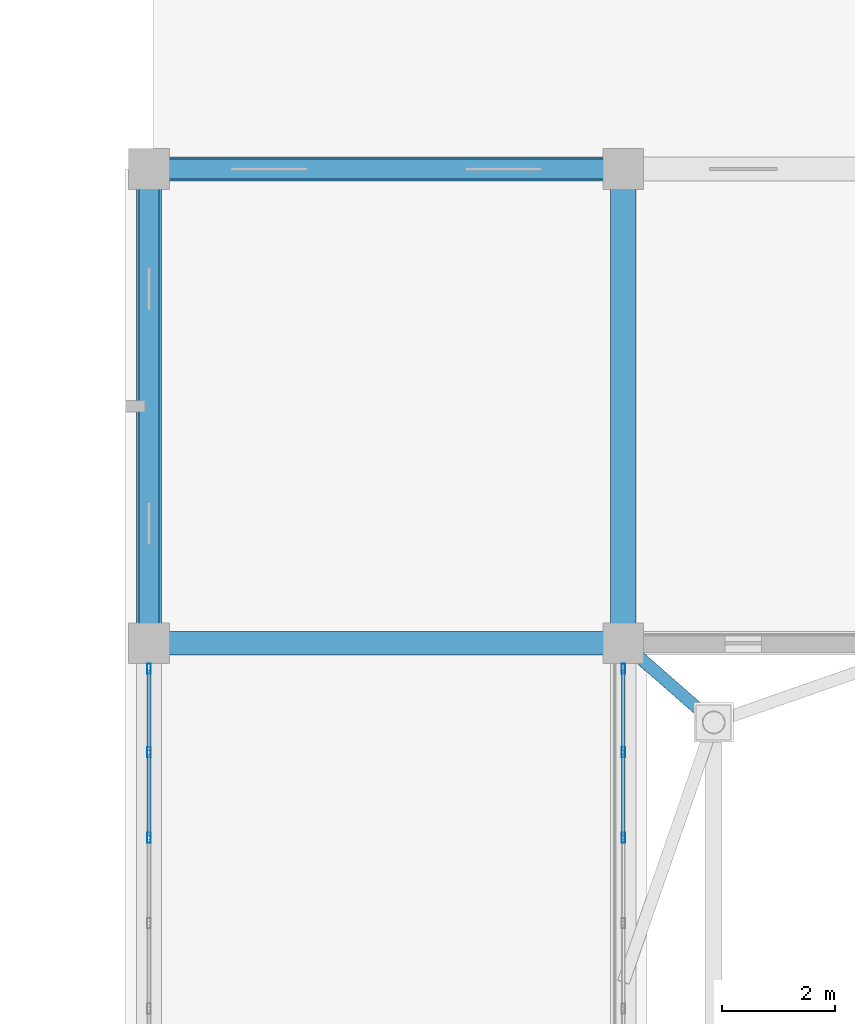
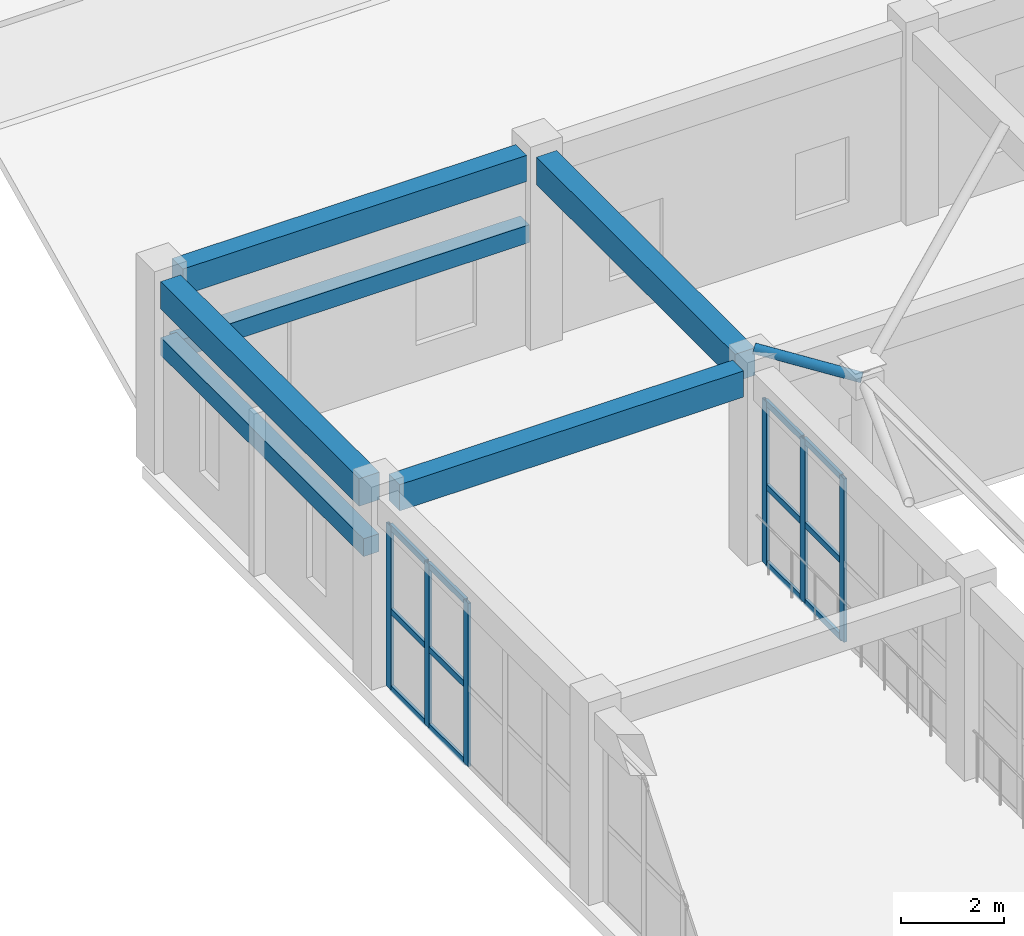
# One storey, part 99 of 158: 19 members, 6 beams, 2 elements without a shape of their own.
"""IFC4 building model written with IfcOpenShell, lengths in metres."""

from ifc_helpers import new_model, si_unit, direction, frame, origin, origin_2d, place, context, subcontext, project, spatial, rectangle, hollow_rectangle, hollow_circle, extrude, material, layer, layer_set, material_profile, profile_set, type_object, element, aggregate, save


model = new_model("IFC4")

# Units and contexts
model_context = context("Model", 3, precision=1e-05, world=origin(), true_north=direction((0.0, 1.0)))
body_context = subcontext(model_context, "Body", "Model", "MODEL_VIEW")
ifc_project = project(units=[si_unit("LENGTHUNIT", "METRE"), si_unit("AREAUNIT", "SQUARE_METRE"), si_unit("VOLUMEUNIT", "CUBIC_METRE"), si_unit("PLANEANGLEUNIT", "RADIAN"), si_unit("MASSUNIT", "GRAM", prefix="KILO")], contexts=[model_context])

# Site, building, storey
site_placement = place(None, origin())
site = spatial("IfcSite", under=ifc_project, at=site_placement, CompositionType="ELEMENT")
building_placement = place(site_placement, origin())
building = spatial("IfcBuilding", under=site, at=building_placement, Name="Trelvath General Hospital", CompositionType="ELEMENT")
storey_placement = place(building_placement, frame((0.0, 0.0, 8.10009765625)))
storey = spatial("IfcBuildingStorey", under=building, at=storey_placement, Name="L02", CompositionType="ELEMENT", Elevation=8.10009765625)

# Beams
ifc_material_1 = material(Name="Concrete C35/45", Category="concrete")
ifc_material_profile_1 = material_profile(ifc_material_1, rectangle(XDim=0.419921875, YDim=0.6201171875, at=origin_2d()), Name="RCB420x620")
ifc_profile_set_1 = profile_set([ifc_material_profile_1], Name="Concrete C35/45")
beam_type_1 = type_object("IfcBeamType", Name="Beam RC420x620", PredefinedType="BEAM", material=ifc_profile_set_1)
for number, where, z_axis, x_axis, name in (
    (1, (134.7548828125, 67.199951171875, 4.2099609375), (1.0, 0.0, 0.0), (0.0, 1.0, 0.0), "Grid Beam BX-216I"),
    (2, (134.7548828125, 75.60009765625, 4.2099609375), (1.0, 0.0, 0.0), (0.0, 1.0, 0.0), "Grid Beam BX-216J"),
):
    element("IfcBeam", number, at=place(storey_placement, frame(where, z_axis=z_axis, x_axis=x_axis)), inside=storey, type_object=beam_type_1, Name=name, PredefinedType="BEAM", context=body_context, shape_type="SweptSolid", body=[
        extrude(rectangle(XDim=0.419921875, YDim=0.6201171875, at=origin_2d()), origin(), (0.0, 0.0, 1.0), 7.690185546875),
    ])
ifc_material_2 = material(Name="Concrete C35/45", Category="concrete")
ifc_material_profile_2 = material_profile(ifc_material_2, rectangle(XDim=0.449951171875, YDim=0.64990234375, at=origin_2d()), Name="RCB450x650")
ifc_profile_set_2 = profile_set([ifc_material_profile_2], Name="Concrete C35/45")
beam_type_2 = type_object("IfcBeamType", Name="Beam RC450x650", PredefinedType="BEAM", material=ifc_profile_set_2)
for number, where, z_axis, x_axis, name in (
    (3, (134.39990234375, 67.554931640625, 4.19482421875), (0.0, 1.0, 0.0), (-1.0, 0.0, 0.0), "Grid Beam BY-216I"),
    (4, (142.800048828125, 67.554931640625, 4.19482421875), (0.0, 1.0, 0.0), (-1.0, 0.0, 0.0), "Grid Beam BY-217I"),
):
    element("IfcBeam", number, at=place(storey_placement, frame(where, z_axis=z_axis, x_axis=x_axis)), inside=storey, type_object=beam_type_2, Name=name, PredefinedType="BEAM", context=body_context, shape_type="SweptSolid", body=[
        extrude(rectangle(XDim=0.449951171875, YDim=0.64990234375, at=origin_2d()), origin(), (0.0, 0.0, 1.0), 7.690185546875),
    ])

# Curtain wall, members
ifc_material_3 = material(Name="Anodised aluminium and low-E glass", Category="aluminium")
ifc_layer = layer(ifc_material_3, 0.179931640625)
ifc_layer_set = layer_set([ifc_layer], Name="Anodised aluminium and low-E glass")
curtain_wall_type = type_object("IfcCurtainWallType", Name="CW Facade 757 386 18", PredefinedType="USERDEFINED", material=ifc_layer_set)
curtain_wall_1_placement = place(storey_placement, origin())
curtain_wall_1 = element("IfcCurtainWall", 5, at=curtain_wall_1_placement, inside=storey, type_object=curtain_wall_type, Name="Facade Curtain Wall CW-054", ObjectType="Unitised Glazed Curtain Wall", PredefinedType="USERDEFINED")
ifc_material_4 = material(Name="Anodised aluminium", Category="aluminium")
ifc_material_profile_3 = material_profile(ifc_material_4, hollow_rectangle(XDim=0.06494140625, YDim=0.179931640625, WallThickness=0.0048828125, at=origin_2d()), Name="RHS65x180x5")
ifc_profile_set_3 = profile_set([ifc_material_profile_3], Name="Anodised aluminium")
member_type_1 = type_object("IfcMemberType", Name="CurtainMullion 65x180", PredefinedType="MULLION", material=ifc_profile_set_3)
member_1_placement = place(storey_placement, frame((134.39990234375, 63.757080078125, 0.0), z_axis=(0.0, 0.0, 1.0), x_axis=(-1.0, 0.0, 0.0)))
member_1 = element("IfcMember", 6, at=member_1_placement, type_object=member_type_1, Name="CW-054 mullion 4", PredefinedType="MULLION", context=body_context, shape_type="SweptSolid", body=[
    extrude(hollow_rectangle(XDim=0.06494140625, YDim=0.179931640625, WallThickness=0.0048828125, at=origin_2d()), origin(), (0.0, 0.0, 1.0), 3.85986328125),
])
member_2_placement = place(storey_placement, frame((134.39990234375, 65.27099609375, 0.0), z_axis=(0.0, 0.0, 1.0), x_axis=(-1.0, 0.0, 0.0)))
member_2 = element("IfcMember", 7, at=member_2_placement, type_object=member_type_1, Name="CW-054 mullion 5", PredefinedType="MULLION", context=body_context, shape_type="SweptSolid", body=[
    extrude(hollow_rectangle(XDim=0.06494140625, YDim=0.179931640625, WallThickness=0.0048828125, at=origin_2d()), origin(), (0.0, 0.0, 1.0), 3.85986328125),
])
member_3_placement = place(storey_placement, frame((134.39990234375, 66.75244140625, 0.0), z_axis=(0.0, 0.0, 1.0), x_axis=(-1.0, 0.0, 0.0)))
member_3 = element("IfcMember", 8, at=member_3_placement, type_object=member_type_1, Name="CW-054 mullion 6", PredefinedType="MULLION", context=body_context, shape_type="SweptSolid", body=[
    extrude(hollow_rectangle(XDim=0.06494140625, YDim=0.179931640625, WallThickness=0.0048828125, at=origin_2d()), origin(), (0.0, 0.0, 1.0), 3.85986328125),
])

curtain_wall_2_placement = place(storey_placement, origin())
curtain_wall_2 = element("IfcCurtainWall", 9, at=curtain_wall_2_placement, inside=storey, type_object=curtain_wall_type, Name="Facade Curtain Wall CW-055", ObjectType="Unitised Glazed Curtain Wall", PredefinedType="USERDEFINED")
member_4_placement = place(storey_placement, frame((142.800048828125, 66.75244140625, 0.0), z_axis=(0.0, 0.0, 1.0), x_axis=(1.0, 0.0, 0.0)))
member_4 = element("IfcMember", 10, at=member_4_placement, type_object=member_type_1, Name="CW-055 mullion 1", PredefinedType="MULLION", context=body_context, shape_type="SweptSolid", body=[
    extrude(hollow_rectangle(XDim=0.06494140625, YDim=0.179931640625, WallThickness=0.0048828125, at=origin_2d()), origin(), (0.0, 0.0, 1.0), 3.85986328125),
])
member_5_placement = place(storey_placement, frame((142.800048828125, 65.27099609375, 0.0), z_axis=(0.0, 0.0, 1.0), x_axis=(1.0, 0.0, 0.0)))
member_5 = element("IfcMember", 11, at=member_5_placement, type_object=member_type_1, Name="CW-055 mullion 2", PredefinedType="MULLION", context=body_context, shape_type="SweptSolid", body=[
    extrude(hollow_rectangle(XDim=0.06494140625, YDim=0.179931640625, WallThickness=0.0048828125, at=origin_2d()), origin(), (0.0, 0.0, 1.0), 3.85986328125),
])
member_6_placement = place(storey_placement, frame((142.800048828125, 63.757080078125, 0.0), z_axis=(0.0, 0.0, 1.0), x_axis=(1.0, 0.0, 0.0)))
member_6 = element("IfcMember", 12, at=member_6_placement, type_object=member_type_1, Name="CW-055 mullion 3", PredefinedType="MULLION", context=body_context, shape_type="SweptSolid", body=[
    extrude(hollow_rectangle(XDim=0.06494140625, YDim=0.179931640625, WallThickness=0.0048828125, at=origin_2d()), origin(), (0.0, 0.0, 1.0), 3.85986328125),
])

# Member
ifc_material_5 = material(Name="Anodised aluminium", Category="aluminium")
ifc_material_profile_4 = material_profile(ifc_material_5, hollow_rectangle(XDim=0.06494140625, YDim=0.14501953125, WallThickness=0.00390625, at=origin_2d()), Name="RHS65x145x4")
ifc_profile_set_4 = profile_set([ifc_material_profile_4], Name="Anodised aluminium")
member_type_2 = type_object("IfcMemberType", Name="CurtainTransom 65x145", PredefinedType="USERDEFINED", material=ifc_profile_set_4)
member_7_placement = place(storey_placement, frame((134.39990234375, 63.78955078125, 0.032470703125), z_axis=(0.0, 1.0, 0.0), x_axis=(-1.0, 0.0, 0.0)))
member_7 = element("IfcMember", 13, at=member_7_placement, type_object=member_type_2, Name="CW-054 transom 4.1", ObjectType="TRANSOM", PredefinedType="USERDEFINED", context=body_context, shape_type="SweptSolid", body=[
    extrude(hollow_rectangle(XDim=0.06494140625, YDim=0.14501953125, WallThickness=0.00390625, at=origin_2d()), origin(), (0.0, 0.0, 1.0), 1.448974609375),
])

member_8_placement = place(storey_placement, frame((134.39990234375, 63.78955078125, 1.852783203125), z_axis=(0.0, 1.0, 0.0), x_axis=(-1.0, 0.0, 0.0)))
member_8 = element("IfcMember", 14, at=member_8_placement, type_object=member_type_2, Name="CW-054 transom 4.2", ObjectType="TRANSOM", PredefinedType="USERDEFINED", context=body_context, shape_type="SweptSolid", body=[
    extrude(hollow_rectangle(XDim=0.06494140625, YDim=0.14501953125, WallThickness=0.00390625, at=origin_2d()), origin(), (0.0, 0.0, 1.0), 1.448974609375),
])

member_9_placement = place(storey_placement, frame((134.39990234375, 63.78955078125, 3.827392578125), z_axis=(0.0, 1.0, 0.0), x_axis=(-1.0, 0.0, 0.0)))
member_9 = element("IfcMember", 15, at=member_9_placement, type_object=member_type_2, Name="CW-054 transom 4.3", ObjectType="TRANSOM", PredefinedType="USERDEFINED", context=body_context, shape_type="SweptSolid", body=[
    extrude(hollow_rectangle(XDim=0.06494140625, YDim=0.14501953125, WallThickness=0.00390625, at=origin_2d()), origin(), (0.0, 0.0, 1.0), 1.448974609375),
])

member_10_placement = place(storey_placement, frame((134.39990234375, 65.303466796875, 0.032470703125), z_axis=(0.0, 1.0, 0.0), x_axis=(-1.0, 0.0, 0.0)))
member_10 = element("IfcMember", 16, at=member_10_placement, type_object=member_type_2, Name="CW-054 transom 5.1", ObjectType="TRANSOM", PredefinedType="USERDEFINED", context=body_context, shape_type="SweptSolid", body=[
    extrude(hollow_rectangle(XDim=0.06494140625, YDim=0.14501953125, WallThickness=0.00390625, at=origin_2d()), origin(), (0.0, 0.0, 1.0), 1.41650390625),
])

member_11_placement = place(storey_placement, frame((134.39990234375, 65.303466796875, 1.852783203125), z_axis=(0.0, 1.0, 0.0), x_axis=(-1.0, 0.0, 0.0)))
member_11 = element("IfcMember", 17, at=member_11_placement, type_object=member_type_2, Name="CW-054 transom 5.2", ObjectType="TRANSOM", PredefinedType="USERDEFINED", context=body_context, shape_type="SweptSolid", body=[
    extrude(hollow_rectangle(XDim=0.06494140625, YDim=0.14501953125, WallThickness=0.00390625, at=origin_2d()), origin(), (0.0, 0.0, 1.0), 1.41650390625),
])

member_12_placement = place(storey_placement, frame((134.39990234375, 65.303466796875, 3.827392578125), z_axis=(0.0, 1.0, 0.0), x_axis=(-1.0, 0.0, 0.0)))
member_12 = element("IfcMember", 18, at=member_12_placement, type_object=member_type_2, Name="CW-054 transom 5.3", ObjectType="TRANSOM", PredefinedType="USERDEFINED", context=body_context, shape_type="SweptSolid", body=[
    extrude(hollow_rectangle(XDim=0.06494140625, YDim=0.14501953125, WallThickness=0.00390625, at=origin_2d()), origin(), (0.0, 0.0, 1.0), 1.41650390625),
])

aggregate(curtain_wall_1, [member_1, member_2, member_3, member_7, member_8, member_9, member_10, member_11, member_12])

member_13_placement = place(storey_placement, frame((142.800048828125, 66.719970703125, 0.032470703125), z_axis=(0.0, -1.0, 0.0), x_axis=(1.0, 0.0, 0.0)))
member_13 = element("IfcMember", 19, at=member_13_placement, type_object=member_type_2, Name="CW-055 transom 1.1", ObjectType="TRANSOM", PredefinedType="USERDEFINED", context=body_context, shape_type="SweptSolid", body=[
    extrude(hollow_rectangle(XDim=0.06494140625, YDim=0.14501953125, WallThickness=0.00390625, at=origin_2d()), origin(), (0.0, 0.0, 1.0), 1.41650390625),
])

member_14_placement = place(storey_placement, frame((142.800048828125, 66.719970703125, 1.852783203125), z_axis=(0.0, -1.0, 0.0), x_axis=(1.0, 0.0, 0.0)))
member_14 = element("IfcMember", 20, at=member_14_placement, type_object=member_type_2, Name="CW-055 transom 1.2", ObjectType="TRANSOM", PredefinedType="USERDEFINED", context=body_context, shape_type="SweptSolid", body=[
    extrude(hollow_rectangle(XDim=0.06494140625, YDim=0.14501953125, WallThickness=0.00390625, at=origin_2d()), origin(), (0.0, 0.0, 1.0), 1.41650390625),
])

member_15_placement = place(storey_placement, frame((142.800048828125, 66.719970703125, 3.827392578125), z_axis=(0.0, -1.0, 0.0), x_axis=(1.0, 0.0, 0.0)))
member_15 = element("IfcMember", 21, at=member_15_placement, type_object=member_type_2, Name="CW-055 transom 1.3", ObjectType="TRANSOM", PredefinedType="USERDEFINED", context=body_context, shape_type="SweptSolid", body=[
    extrude(hollow_rectangle(XDim=0.06494140625, YDim=0.14501953125, WallThickness=0.00390625, at=origin_2d()), origin(), (0.0, 0.0, 1.0), 1.41650390625),
])

member_16_placement = place(storey_placement, frame((142.800048828125, 65.238525390625, 0.032470703125), z_axis=(0.0, -1.0, 0.0), x_axis=(1.0, 0.0, 0.0)))
member_16 = element("IfcMember", 22, at=member_16_placement, type_object=member_type_2, Name="CW-055 transom 2.1", ObjectType="TRANSOM", PredefinedType="USERDEFINED", context=body_context, shape_type="SweptSolid", body=[
    extrude(hollow_rectangle(XDim=0.06494140625, YDim=0.14501953125, WallThickness=0.00390625, at=origin_2d()), origin(), (0.0, 0.0, 1.0), 1.448974609375),
])

member_17_placement = place(storey_placement, frame((142.800048828125, 65.238525390625, 1.852783203125), z_axis=(0.0, -1.0, 0.0), x_axis=(1.0, 0.0, 0.0)))
member_17 = element("IfcMember", 23, at=member_17_placement, type_object=member_type_2, Name="CW-055 transom 2.2", ObjectType="TRANSOM", PredefinedType="USERDEFINED", context=body_context, shape_type="SweptSolid", body=[
    extrude(hollow_rectangle(XDim=0.06494140625, YDim=0.14501953125, WallThickness=0.00390625, at=origin_2d()), origin(), (0.0, 0.0, 1.0), 1.448974609375),
])

member_18_placement = place(storey_placement, frame((142.800048828125, 65.238525390625, 3.827392578125), z_axis=(0.0, -1.0, 0.0), x_axis=(1.0, 0.0, 0.0)))
member_18 = element("IfcMember", 24, at=member_18_placement, type_object=member_type_2, Name="CW-055 transom 2.3", ObjectType="TRANSOM", PredefinedType="USERDEFINED", context=body_context, shape_type="SweptSolid", body=[
    extrude(hollow_rectangle(XDim=0.06494140625, YDim=0.14501953125, WallThickness=0.00390625, at=origin_2d()), origin(), (0.0, 0.0, 1.0), 1.448974609375),
])

aggregate(curtain_wall_2, [member_4, member_5, member_6, member_13, member_14, member_15, member_16, member_17, member_18])

# Beams
ifc_material_6 = material(Name="Precast concrete C40/50", Category="concrete")
ifc_material_profile_5 = material_profile(ifc_material_6, rectangle(XDim=0.35009765625, YDim=0.419921875, at=origin_2d()), Name="PCL350x420")
ifc_profile_set_5 = profile_set([ifc_material_profile_5], Name="Precast concrete C40/50")
beam_type_3 = type_object("IfcBeamType", Name="Lintel PC350x420", PredefinedType="LINTEL", material=ifc_profile_set_5)
for number, where, z_axis, x_axis, name in (
    (25, (134.675048828125, 75.60009765625, 2.619873046875), (1.0, 0.0, 0.0), (0.0, 1.0, 0.0), "Precast Window Brow Lintel L02-306"),
    (26, (134.39990234375, 67.47509765625, 2.919921875), (0.0, 1.0, 0.0), (-1.0, 0.0, 0.0), "Precast Window Brow Lintel L02-307"),
):
    element("IfcBeam", number, at=place(storey_placement, frame(where, z_axis=z_axis, x_axis=x_axis)), inside=storey, type_object=beam_type_3, Name=name, PredefinedType="LINTEL", context=body_context, shape_type="SweptSolid", body=[
        extrude(rectangle(XDim=0.35009765625, YDim=0.419921875, at=origin_2d()), origin(), (0.0, 0.0, 1.0), 7.849853515625),
    ])

# Member
ifc_material_7 = material(Name="Steel S355", Category="steel")
ifc_material_profile_6 = material_profile(ifc_material_7, hollow_circle(Radius=0.109619140625, WallThickness=0.010009765625, at=origin_2d()), Name="CHS219.1x10.0")
ifc_profile_set_6 = profile_set([ifc_material_profile_6], Name="Steel S355")
member_type_3 = type_object("IfcMemberType", Name="TreeStrut CHS219", PredefinedType="STRUT", material=ifc_profile_set_6)
member_19_placement = place(storey_placement, frame((144.39990234375, 65.800048828125, 4.39990234375), z_axis=(-0.739597367324, 0.647161804401, 0.184871125847), x_axis=(-0.658512738345, -0.752569580463, 0.0)))
element("IfcMember", 27, at=member_19_placement, inside=storey, type_object=member_type_3, Name="Branching Tree Strut TS-10", PredefinedType="STRUT", context=body_context, shape_type="SweptSolid", body=[
    extrude(hollow_circle(Radius=0.109619140625, WallThickness=0.010009765625, at=origin_2d()), origin(), (0.0, 0.0, 1.0), 2.1630859375),
])

save(model, "model.ifc")
